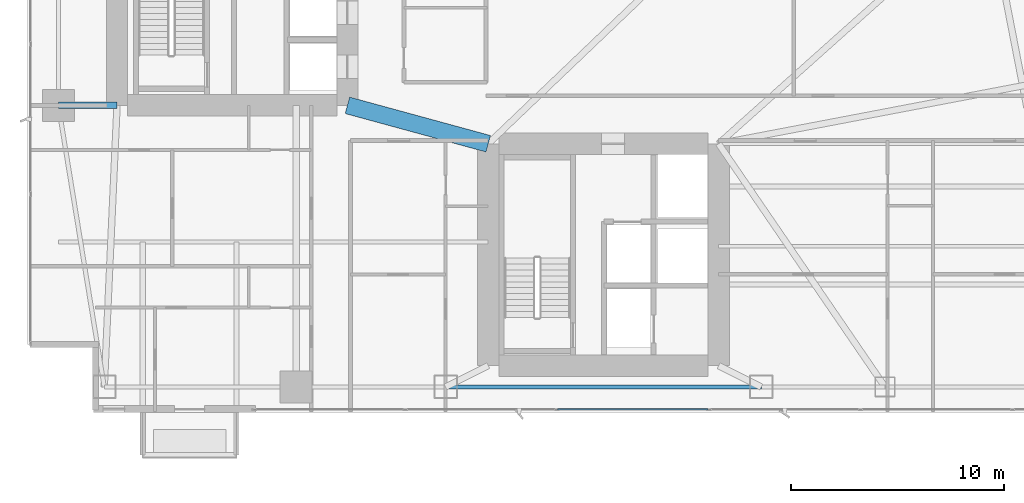
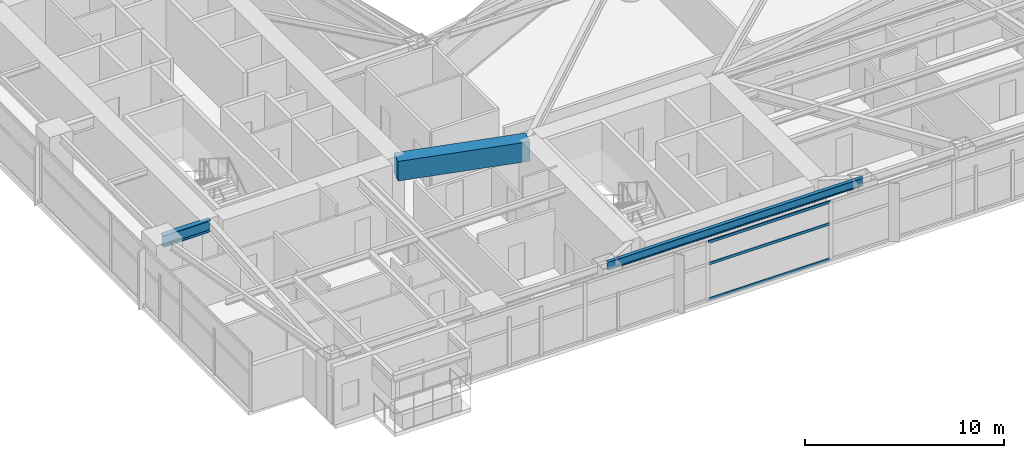
# One storey, part 7 of 29: 3 beams, 3 members, 1 element without a shape of its own.
"""IFC4 building model written with IfcOpenShell, lengths in metres."""

from ifc_helpers import new_model, si_unit, direction, frame, origin, origin_2d, place, context, subcontext, project, spatial, rectangle, hollow_rectangle, i_section, extrude, material, layer, layer_set, material_profile, profile_set, type_object, element, aggregate, save


model = new_model("IFC4")

# Units and contexts
model_context = context("Model", 3, precision=1e-05, world=origin(), true_north=direction((0.0, 1.0)))
body_context = subcontext(model_context, "Body", "Model", "MODEL_VIEW")
ifc_project = project(units=[si_unit("LENGTHUNIT", "METRE"), si_unit("AREAUNIT", "SQUARE_METRE"), si_unit("VOLUMEUNIT", "CUBIC_METRE"), si_unit("PLANEANGLEUNIT", "RADIAN"), si_unit("MASSUNIT", "GRAM", prefix="KILO")], contexts=[model_context])

# Site, building, storey
site_placement = place(None, origin())
site = spatial("IfcSite", under=ifc_project, at=site_placement, CompositionType="ELEMENT")
building_placement = place(site_placement, origin())
building = spatial("IfcBuilding", under=site, at=building_placement, Name="Calvorn Quay Hotel", CompositionType="ELEMENT")
storey_placement = place(building_placement, frame((0.0, 0.0, 69.800048828125)))
storey = spatial("IfcBuildingStorey", under=building, at=storey_placement, Name="L16", CompositionType="ELEMENT", Elevation=69.800048828125)

# Beams
ifc_material_1 = material(Name="Steel Q390GJC", Category="steel")
ifc_material_profile_1 = material_profile(ifc_material_1, i_section(OverallWidth=0.300048828125, OverallDepth=0.699951171875, WebThickness=0.012939453125, FlangeThickness=0.02392578125, FilletRadius=0.02392578125, at=origin_2d()), Name="HN700x300x13x24")
ifc_profile_set_1 = profile_set([ifc_material_profile_1], Name="Steel Q390GJC")
beam_type_1 = type_object("IfcBeamType", Name="BM-GIRD-MAIN", PredefinedType="BEAM", material=ifc_profile_set_1)
beam_1_placement = place(storey_placement, frame((1.449951171875, 16.800048828125, 3.18994140625), z_axis=(1.0, 0.0, 0.0), x_axis=(0.0, 1.0, 0.0)))
element("IfcBeam", 1, at=beam_1_placement, inside=storey, type_object=beam_type_1, Name="Beam BG-L16-W1", PredefinedType="BEAM", context=body_context, shape_type="SweptSolid", body=[
    extrude(i_section(OverallWidth=0.300048828125, OverallDepth=0.699951171875, WebThickness=0.012939453125, FlangeThickness=0.02392578125, FilletRadius=0.02392578125, at=origin_2d()), origin(), (0.0, 0.0, 1.0), 2.75),
])
ifc_material_2 = material(Name="Concrete C60", Category="concrete")
ifc_material_profile_2 = material_profile(ifc_material_2, rectangle(XDim=0.800048828125, YDim=1.199951171875, at=origin_2d()), Name="RCB800x1200")
ifc_profile_set_2 = profile_set([ifc_material_profile_2], Name="Concrete C60")
beam_type_2 = type_object("IfcBeamType", Name="BM-RC-LINK-800x1200", PredefinedType="BEAM", material=ifc_profile_set_2)
beam_2_placement = place(storey_placement, frame((15.0, 16.800048828125, 2.93994140625), z_axis=(0.964762997686, -0.263120425462, 0.0), x_axis=(0.263120425462, 0.964762997686, 0.0)))
element("IfcBeam", 2, at=beam_2_placement, inside=storey, type_object=beam_type_2, Name="Beam BCL-L16-01", PredefinedType="BEAM", context=body_context, shape_type="SweptSolid", body=[
    extrude(rectangle(XDim=0.800048828125, YDim=1.199951171875, at=origin_2d()), origin(), (0.0, 0.0, 1.0), 6.841064453125),
])
ifc_material_3 = material(Name="Steel Q355B", Category="steel")
ifc_material_profile_3 = material_profile(ifc_material_3, i_section(OverallWidth=0.199951171875, OverallDepth=0.5, WebThickness=0.010009765625, FlangeThickness=0.01611328125, FilletRadius=0.01611328125, at=origin_2d()), Name="HN500x200x10x16")
ifc_profile_set_3 = profile_set([ifc_material_profile_3], Name="Steel Q355B")
beam_type_3 = type_object("IfcBeamType", Name="BM-SPANDREL-Z1", PredefinedType="SPANDREL", material=ifc_profile_set_3)
beam_3_placement = place(storey_placement, frame((19.60009765625, 3.60009765625, 3.2900390625), z_axis=(1.0, 0.0, 0.0), x_axis=(0.0, 1.0, 0.0)))
element("IfcBeam", 3, at=beam_3_placement, inside=storey, type_object=beam_type_3, Name="Beam BSP-L16-S3", PredefinedType="SPANDREL", context=body_context, shape_type="SweptSolid", body=[
    extrude(i_section(OverallWidth=0.199951171875, OverallDepth=0.5, WebThickness=0.010009765625, FlangeThickness=0.01611328125, FilletRadius=0.01611328125, at=origin_2d()), origin(), (0.0, 0.0, 1.0), 14.7998046875),
])

# Curtain wall, members
ifc_material_4 = material(Name="Pale Anodised Aluminium and Low-E Glass", Category="aluminium")
ifc_layer = layer(ifc_material_4, 0.219970703125)
ifc_layer_set = layer_set([ifc_layer], Name="CW-SYS-Z1")
curtain_wall_type = type_object("IfcCurtainWallType", Name="CW-SYS-Z1", PredefinedType="NOTDEFINED", material=ifc_layer_set)
curtain_wall_placement = place(storey_placement, origin())
curtain_wall = element("IfcCurtainWall", 4, at=curtain_wall_placement, inside=storey, type_object=curtain_wall_type, Name="Tower South Waterfront Curtain Wall (L16)", PredefinedType="NOTDEFINED")
ifc_material_5 = material(Name="Pale Anodised Aluminium 6063-T6", Category="aluminium")
ifc_material_profile_4 = material_profile(ifc_material_5, hollow_rectangle(XDim=0.06494140625, YDim=0.1650390625, WallThickness=0.00341796875, at=origin_2d()), Name="ALU-T165x65x3.5")
ifc_profile_set_4 = profile_set([ifc_material_profile_4], Name="Pale Anodised Aluminium 6063-T6")
member_type = type_object("IfcMemberType", Name="CW-SYS-Z1-TRN", PredefinedType="USERDEFINED", material=ifc_profile_set_4)
member_1_placement = place(storey_placement, frame((24.858642578125, 2.550048828125, 0.030029296875), z_axis=(1.0, 0.0, 0.0), x_axis=(0.0, 1.0, 0.0)))
member_1 = element("IfcMember", 5, at=member_1_placement, type_object=member_type, Name="CW-L16-S transom 3.1", ObjectType="TRANSOM", PredefinedType="USERDEFINED", context=body_context, shape_type="SweptSolid", body=[
    extrude(hollow_rectangle(XDim=0.06494140625, YDim=0.1650390625, WallThickness=0.00341796875, at=origin_2d()), origin(), (0.0, 0.0, 1.0), 7.05419921875),
])
member_2_placement = place(storey_placement, frame((24.858642578125, 2.550048828125, 2.199951171875), z_axis=(1.0, 0.0, 0.0), x_axis=(0.0, 1.0, 0.0)))
member_2 = element("IfcMember", 6, at=member_2_placement, type_object=member_type, Name="CW-L16-S transom 3.2", ObjectType="TRANSOM", PredefinedType="USERDEFINED", context=body_context, shape_type="SweptSolid", body=[
    extrude(hollow_rectangle(XDim=0.06494140625, YDim=0.1650390625, WallThickness=0.00341796875, at=origin_2d()), origin(), (0.0, 0.0, 1.0), 7.05419921875),
])
member_3_placement = place(storey_placement, frame((24.858642578125, 2.550048828125, 3.530029296875), z_axis=(1.0, 0.0, 0.0), x_axis=(0.0, 1.0, 0.0)))
member_3 = element("IfcMember", 7, at=member_3_placement, type_object=member_type, Name="CW-L16-S transom 3.3", ObjectType="TRANSOM", PredefinedType="USERDEFINED", context=body_context, shape_type="SweptSolid", body=[
    extrude(hollow_rectangle(XDim=0.06494140625, YDim=0.1650390625, WallThickness=0.00341796875, at=origin_2d()), origin(), (0.0, 0.0, 1.0), 7.05419921875),
])
aggregate(curtain_wall, [member_1, member_2, member_3])

save(model, "model.ifc")
